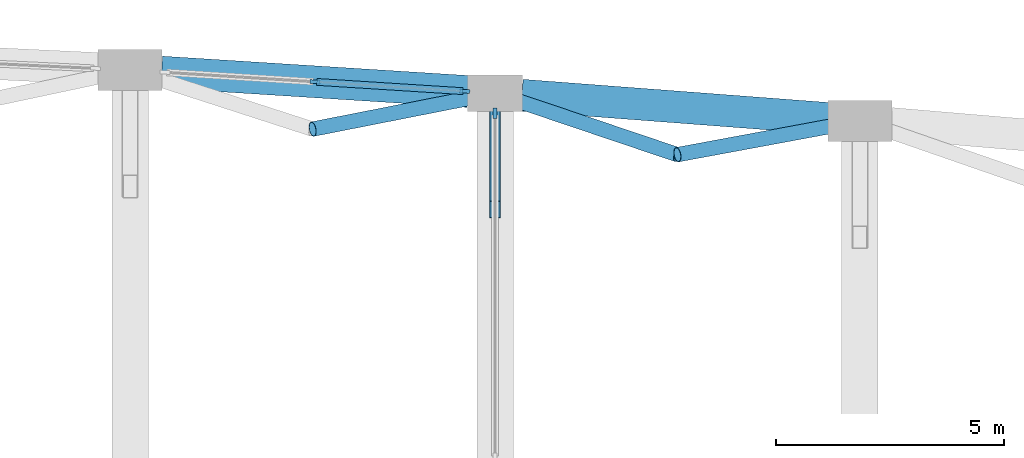
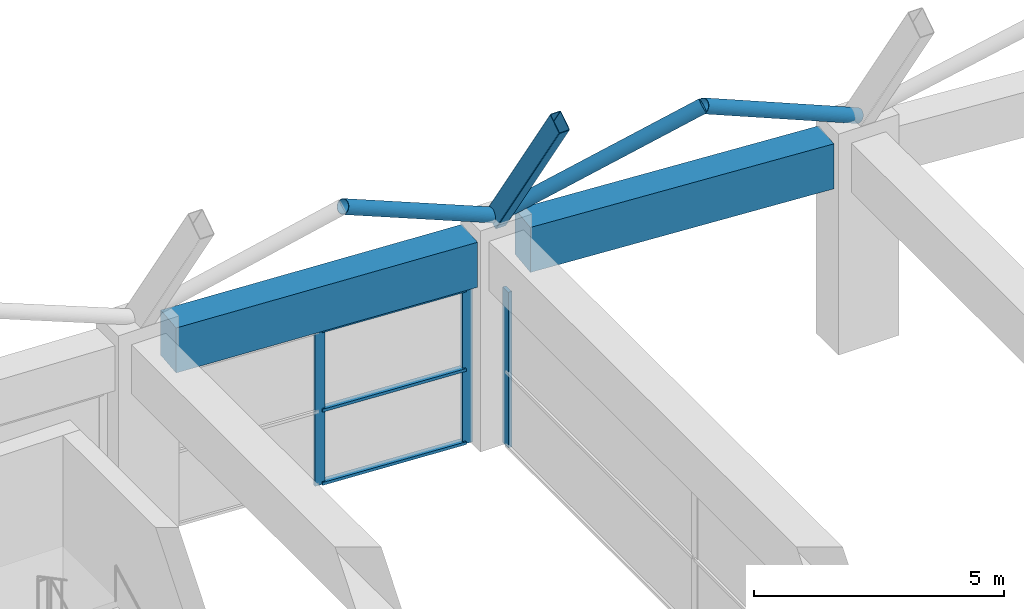
# One storey, part 32 of 69: 9 members, 3 beams, 2 elements without a shape of their own.
"""IFC4 building model written with IfcOpenShell, lengths in metres."""

import ifcopenshell
import ifcopenshell.guid

model = None  # the IFC model being written
_history = None  # IfcOwnerHistory: only IFC2X3 demands one
_inside = {}  # id of a spatial element -> (the spatial element, [elements in it])
_under = {}  # id of a project, library or spatial element -> (it, [spatial elements below it])
_declared = {}  # id of a project -> (the project, [libraries it declares])
_typed = {}  # id of a type object -> (the type object, [elements of that type])
_made_of = {}  # id of a material, layer set ... -> (it, [elements and type objects made of it])


def new_model(schema):
    """Start an empty IFC model of exactly this schema.

    Asked for "IFC4X3", IfcOpenShell would pick the latest addendum, in which some entities
    have other attributes; the version numbers below select the first issue.
    IFC2X3 requires an IfcOwnerHistory on every rooted entity: one is made here for all.
    """
    global model, _history
    if schema == "IFC4X3":
        model = ifcopenshell.file(schema_version=(4, 3, 0, 0))
    else:
        model = ifcopenshell.file(schema=schema)
    _inside.clear()
    _under.clear()
    _declared.clear()
    _typed.clear()
    _made_of.clear()
    _history = None
    if model.schema == "IFC2X3":
        org = make("IfcOrganization", Name="unknown")
        user = make(
            "IfcPersonAndOrganization",
            ThePerson=make("IfcPerson", FamilyName="unknown"),
            TheOrganization=org,
        )
        app = make(
            "IfcApplication",
            ApplicationDeveloper=org,
            Version="unknown",
            ApplicationFullName="unknown",
            ApplicationIdentifier="unknown",
        )
        _history = make(
            "IfcOwnerHistory",
            OwningUser=user,
            OwningApplication=app,
            ChangeAction="ADDED",
            CreationDate=0,
        )
    return model


def make(cls, **values):
    """One entity of the class cls with the attributes given. An attribute that is None is left unset."""
    return model.create_entity(
        cls, **{name: value for name, value in values.items() if value is not None}
    )


def rooted(cls, **values):
    """An entity with a GlobalId (a new one), such as an element, a storey or a relation."""
    return make(cls, GlobalId=ifcopenshell.guid.new(), OwnerHistory=_history, **values)


def si_unit(unit_type, name, prefix=None):
    """IfcSIUnit, for example si_unit("LENGTHUNIT", "METRE", prefix="MILLI")."""
    return make("IfcSIUnit", UnitType=unit_type, Prefix=prefix, Name=name)


def assignment(units):
    """IfcUnitAssignment: the units of a project."""
    return None if units is None else make("IfcUnitAssignment", Units=units)


def point(xyz):
    """IfcCartesianPoint."""
    return None if xyz is None else make("IfcCartesianPoint", Coordinates=xyz)


def direction(xyz):
    """IfcDirection."""
    return None if xyz is None else make("IfcDirection", DirectionRatios=xyz)


def frame(location, z_axis=None, x_axis=None):
    """IfcAxis2Placement3D, a coordinate frame: its origin and axes. An axis left out is left unset."""
    return make(
        "IfcAxis2Placement3D",
        Location=point(location),
        Axis=direction(z_axis),
        RefDirection=direction(x_axis),
    )


def frame_2d(location, x_axis=None):
    """IfcAxis2Placement2D, a coordinate frame in the plane: its origin and x axis."""
    return make(
        "IfcAxis2Placement2D", Location=point(location), RefDirection=direction(x_axis)
    )


def origin():
    """The frame at (0, 0, 0) with its axes left unset."""
    return frame((0.0, 0.0, 0.0))


def origin_2d():
    """The frame at (0, 0) in the plane with its x axis left unset."""
    return frame_2d((0.0, 0.0))


def place(relative_to, where):
    """IfcLocalPlacement: puts the frame where relative to a parent placement (None: the world)."""
    return make(
        "IfcLocalPlacement", PlacementRelTo=relative_to, RelativePlacement=where
    )


def context(
    kind, dimensions, precision=None, world=None, true_north=None, identifier=None
):
    """IfcGeometricRepresentationContext, for example the 3D "Model" context."""
    return make(
        "IfcGeometricRepresentationContext",
        ContextIdentifier=identifier,
        ContextType=kind,
        CoordinateSpaceDimension=dimensions,
        Precision=precision,
        WorldCoordinateSystem=world,
        TrueNorth=true_north,
    )


def subcontext(parent, identifier, kind, view, scale=None):
    """IfcGeometricRepresentationSubContext, for example "Body" below "Model"."""
    return make(
        "IfcGeometricRepresentationSubContext",
        ContextIdentifier=identifier,
        ContextType=kind,
        ParentContext=parent,
        TargetScale=scale,
        TargetView=view,
    )


def project(units=None, contexts=None):
    """IfcProject with its units and contexts."""
    return rooted(
        "IfcProject",
        Name="project",
        RepresentationContexts=contexts,
        UnitsInContext=assignment(units),
    )


def spatial(cls, under=None, at=None, **own):
    """A site, building, storey or space (cls), placed at a placement, below another one or the project."""
    s = rooted(cls, ObjectPlacement=at, **own)
    if under is not None:
        _under.setdefault(under.id(), (under, []))[1].append(s)
    return s


def profile(cls, at=None, kind="AREA", **sizes):
    """A parametric profile (cls). Its sizes go by their IFC names, for example OverallWidth=200.0."""
    return make(cls, ProfileType=kind, Position=at, **sizes)


def rectangle(**sizes):
    """IfcRectangleProfileDef."""
    return profile("IfcRectangleProfileDef", **sizes)


def hollow_rectangle(**sizes):
    """IfcRectangleHollowProfileDef."""
    return profile("IfcRectangleHollowProfileDef", **sizes)


def hollow_circle(**sizes):
    """IfcCircleHollowProfileDef."""
    return profile("IfcCircleHollowProfileDef", **sizes)


def extrude(swept, where, along, depth):
    """IfcExtrudedAreaSolid: the profile swept, set in the frame where, extruded along a direction by depth."""
    return make(
        "IfcExtrudedAreaSolid",
        SweptArea=swept,
        Position=where,
        ExtrudedDirection=direction(along),
        Depth=depth,
    )


def shape(context_of_items, identifier, shape_type, items):
    """IfcShapeRepresentation: the items that make up one representation, for example the "Body"."""
    return make(
        "IfcShapeRepresentation",
        ContextOfItems=context_of_items,
        RepresentationIdentifier=identifier,
        RepresentationType=shape_type,
        Items=items,
    )


def material(Name=None, Category=None):
    """IfcMaterial."""
    return make("IfcMaterial", Name=Name, Category=Category)


def material_profile(
    of_material, cross_section, Name=None, Category=None, Priority=None
):
    """IfcMaterialProfile: a cross section and its material."""
    return make(
        "IfcMaterialProfile",
        Name=Name,
        Material=of_material,
        Profile=cross_section,
        Priority=Priority,
        Category=Category,
    )


def profile_set(profiles, Name=None, composite=None):
    """IfcMaterialProfileSet."""
    return make(
        "IfcMaterialProfileSet",
        Name=Name,
        MaterialProfiles=profiles,
        CompositeProfile=composite,
    )


def made_of(thing, what):
    """Note that an element or type object is made of a material, layer set ...; save() writes the relation."""
    if what is not None:
        _made_of.setdefault(what.id(), (what, []))[1].append(thing)
    return thing


def type_object(cls, material=None, **own):
    """A type object (cls), such as IfcWallType, which elements share."""
    return made_of(rooted(cls, **own), material)


def element(
    cls,
    number,
    at=None,
    inside=None,
    cuts=None,
    type_object=None,
    material=None,
    context=None,
    identifier="Body",
    shape_type=None,
    held_by="IfcProductDefinitionShape",
    body=None,
    shapes=None,
    **own,
):
    """One element of the class cls, such as IfcWall. Its Tag is "e" and its number.

    at: its placement. inside: the storey or other place that contains it. cuts: it is an
    opening in that element (IfcRelVoidsElement). A single representation is given by context,
    identifier, shape_type and body (its items); several are given by shapes. held_by: the class
    of the entity that holds the representations. save() writes the other relations.
    """
    e = rooted(cls, Tag="e%d" % number, ObjectPlacement=at, **own)
    if body is not None:
        shapes = [shape(context, identifier, shape_type, body)]
    if shapes is not None:
        e.Representation = make(held_by, Representations=shapes)
    if inside is not None:
        _inside.setdefault(inside.id(), (inside, []))[1].append(e)
    if cuts is not None:
        rooted(
            "IfcRelVoidsElement", RelatingBuildingElement=cuts, RelatedOpeningElement=e
        )
    if type_object is not None:
        _typed.setdefault(type_object.id(), (type_object, []))[1].append(e)
    return made_of(e, material)


def aggregate(whole, parts):
    """IfcRelAggregates: a whole, such as a stair, and the parts it consists of."""
    return rooted("IfcRelAggregates", RelatingObject=whole, RelatedObjects=parts)


def save(model, path):
    """Write the relations noted so far, then the file.

    IfcRelAggregates (storeys below a building ...), IfcRelContainedInSpatialStructure (elements
    in a storey), IfcRelDefinesByType, IfcRelAssociatesMaterial and IfcRelDeclares: one each for
    every whole, place, type object, material and project.
    """
    for whole, parts in _under.values():
        aggregate(whole, parts)
    for where, things in _inside.values():
        rooted(
            "IfcRelContainedInSpatialStructure",
            RelatedElements=things,
            RelatingStructure=where,
        )
    for kind, things in _typed.values():
        rooted("IfcRelDefinesByType", RelatedObjects=things, RelatingType=kind)
    for what, things in _made_of.values():
        rooted("IfcRelAssociatesMaterial", RelatedObjects=things, RelatingMaterial=what)
    for by, libraries in _declared.values():
        rooted("IfcRelDeclares", RelatingContext=by, RelatedDefinitions=libraries)
    model.write(path)


model = new_model("IFC4")

# Units and contexts
model_context = context("Model", 3, precision=1e-05, world=origin(), true_north=direction((0.0, 1.0)))
body_context = subcontext(model_context, "Body", "Model", "MODEL_VIEW")
ifc_project = project(units=[si_unit("LENGTHUNIT", "METRE"), si_unit("AREAUNIT", "SQUARE_METRE"), si_unit("VOLUMEUNIT", "CUBIC_METRE"), si_unit("PLANEANGLEUNIT", "RADIAN"), si_unit("MASSUNIT", "GRAM", prefix="KILO")], contexts=[model_context])

# Site, building, storey
site_placement = place(None, origin())
site = spatial("IfcSite", under=ifc_project, at=site_placement, CompositionType="ELEMENT")
building_placement = place(site_placement, origin())
building = spatial("IfcBuilding", under=site, at=building_placement, Name="Kenh Van Central Station", CompositionType="ELEMENT")
storey_placement = place(building_placement, frame((0.0, 0.0, 5.39990234375)))
storey = spatial("IfcBuildingStorey", under=building, at=storey_placement, Name="L01", CompositionType="ELEMENT", Elevation=5.39990234375)

# Beams
ifc_material_1 = material(Name="Concrete C40/50", Category="concrete")
ifc_material_profile_1 = material_profile(ifc_material_1, rectangle(XDim=0.699951171875, YDim=1.10009765625, at=origin_2d()), Name="RC 700x1100")
ifc_profile_set_1 = profile_set([ifc_material_profile_1], Name="Concrete C40/50")
beam_type_1 = type_object("IfcBeamType", Name="BM-RC-700x1100", PredefinedType="BEAM", material=ifc_profile_set_1)
beam_1_placement = place(storey_placement, frame((112.688720703125, 114.458251953125, 4.530029296875), z_axis=(0.99800019098, -0.06321090732, 0.0), x_axis=(0.06321090732, 0.99800019098, 0.0)))
element("IfcBeam", 1, at=beam_1_placement, inside=storey, type_object=beam_type_1, Name="L01 viaduct girder 1432", PredefinedType="BEAM", context=body_context, shape_type="SweptSolid", body=[
    extrude(rectangle(XDim=0.699951171875, YDim=1.10009765625, at=origin_2d()), origin(), (0.0, 0.0, 1.0), 6.73583984375),
])
beam_2_placement = place(storey_placement, frame((120.58837890625, 113.95068359375, 4.530029296875), z_axis=(0.997135493389, -0.075636021993, 0.0), x_axis=(0.075636021993, 0.997135493389, 0.0)))
element("IfcBeam", 2, at=beam_2_placement, inside=storey, type_object=beam_type_1, Name="L01 viaduct girder 1433", PredefinedType="BEAM", context=body_context, shape_type="SweptSolid", body=[
    extrude(rectangle(XDim=0.699951171875, YDim=1.10009765625, at=origin_2d()), origin(), (0.0, 0.0, 1.0), 6.742919921875),
])
ifc_material_2 = material(Name="White fluoropolymer structural steel S355", Category="steel")
ifc_material_profile_2 = material_profile(ifc_material_2, hollow_rectangle(XDim=0.25, YDim=0.449951171875, WallThickness=0.012451171875, InnerFilletRadius=0.012451171875, OuterFilletRadius=0.02490234375, at=origin_2d()), Name="RHS 450x250x12.5")
ifc_profile_set_2 = profile_set([ifc_material_profile_2], Name="White fluoropolymer structural steel S355")
beam_type_2 = type_object("IfcBeamType", Name="BM-VAULT-SUB450", PredefinedType="BEAM", material=ifc_profile_set_2)
beam_3_placement = place(storey_placement, frame((120.0, 111.44287109375, 9.161865234375), z_axis=(0.0, 0.5493771127, -0.835574525725), x_axis=(-1.0, 0.0, 0.0)))
element("IfcBeam", 3, at=beam_3_placement, inside=storey, type_object=beam_type_2, Name="Vault transverse arch 141", PredefinedType="BEAM", context=body_context, shape_type="SweptSolid", body=[
    extrude(hollow_rectangle(XDim=0.25, YDim=0.449951171875, WallThickness=0.012451171875, InnerFilletRadius=0.012451171875, OuterFilletRadius=0.02490234375, at=origin_2d()), origin(), (0.0, 0.0, 1.0), 4.645751953125),
])

# Curtain wall, member
ifc_material_3 = material(Name="Champagne anodised aluminium", Category="aluminium")
curtain_wall_type = type_object("IfcCurtainWallType", Name="CW-HALL-B", PredefinedType="NOTDEFINED", material=ifc_material_3)
curtain_wall_1_placement = place(storey_placement, origin())
curtain_wall_1 = element("IfcCurtainWall", 4, at=curtain_wall_1_placement, inside=storey, type_object=curtain_wall_type, Name="L01 curtain wall 102", PredefinedType="NOTDEFINED")
ifc_material_profile_3 = material_profile(ifc_material_3, rectangle(XDim=0.08203125, YDim=0.22509765625, at=origin_2d()), Name="AL 82x225")
ifc_profile_set_3 = profile_set([ifc_material_profile_3], Name="Champagne anodised aluminium")
member_type_1 = type_object("IfcMemberType", Name="CWM-70x180", PredefinedType="MULLION", material=ifc_profile_set_3)
member_1_placement = place(storey_placement, frame((120.0, 113.55419921875, 0.0), z_axis=(0.0, 0.0, 1.0), x_axis=(-1.0, 0.0, 0.0)))
member_1 = element("IfcMember", 5, at=member_1_placement, type_object=member_type_1, Name="CW-02 mullion 3", PredefinedType="MULLION", context=body_context, shape_type="SweptSolid", body=[
    extrude(rectangle(XDim=0.08203125, YDim=0.22509765625, at=origin_2d()), origin(), (0.0, 0.0, 1.0), 3.800048828125),
])
aggregate(curtain_wall_1, [member_1])

# Curtain wall, members
curtain_wall_2_placement = place(storey_placement, origin())
curtain_wall_2 = element("IfcCurtainWall", 6, at=curtain_wall_2_placement, inside=storey, type_object=curtain_wall_type, Name="L01 curtain wall 096", PredefinedType="NOTDEFINED")
ifc_material_profile_4 = material_profile(ifc_material_3, rectangle(XDim=0.080078125, YDim=0.219970703125, at=origin_2d()), Name="AL 80x220")
ifc_profile_set_4 = profile_set([ifc_material_profile_4], Name="Champagne anodised aluminium")
member_type_2 = type_object("IfcMemberType", Name="CWM-80x220", PredefinedType="MULLION", material=ifc_profile_set_4)
member_2_placement = place(storey_placement, frame((119.337158203125, 114.037109375, 0.0), z_axis=(0.0, 0.0, 1.0), x_axis=(-0.063211477724, -0.998000154852, 0.0)))
member_2 = element("IfcMember", 7, at=member_2_placement, type_object=member_type_2, Name="CW-02 mullion 1", PredefinedType="MULLION", context=body_context, shape_type="SweptSolid", body=[
    extrude(rectangle(XDim=0.080078125, YDim=0.219970703125, at=origin_2d()), origin(), (0.0, 0.0, 1.0), 3.800048828125),
])
member_3_placement = place(storey_placement, frame((116.051513671875, 114.245361328125, 0.0), z_axis=(0.0, 0.0, 1.0), x_axis=(-0.063211477724, -0.998000154852, 0.0)))
member_3 = element("IfcMember", 8, at=member_3_placement, type_object=member_type_2, Name="CW-02 mullion 2", PredefinedType="MULLION", context=body_context, shape_type="SweptSolid", body=[
    extrude(rectangle(XDim=0.080078125, YDim=0.219970703125, at=origin_2d()), origin(), (0.0, 0.0, 1.0), 3.800048828125),
])
ifc_material_profile_5 = material_profile(ifc_material_3, rectangle(XDim=0.14990234375, YDim=0.070068359375, at=origin_2d()), Name="AL 150x70")
ifc_profile_set_5 = profile_set([ifc_material_profile_5], Name="Champagne anodised aluminium")
member_type_3 = type_object("IfcMemberType", Name="CWT-150x70", PredefinedType="USERDEFINED", material=ifc_profile_set_5)
member_4_placement = place(storey_placement, frame((119.29736328125, 114.03955078125, 0.03515625), z_axis=(-0.997998987314, 0.063229908426, 0.0), x_axis=(-0.063229908426, -0.997998987314, 0.0)))
member_4 = element("IfcMember", 9, at=member_4_placement, type_object=member_type_3, Name="CW-02 transom 1.1", ObjectType="TRANSOM", PredefinedType="USERDEFINED", context=body_context, shape_type="SweptSolid", body=[
    extrude(rectangle(XDim=0.14990234375, YDim=0.070068359375, at=origin_2d()), origin(), (0.0, 0.0, 1.0), 3.21240234375),
])
member_5_placement = place(storey_placement, frame((119.29736328125, 114.03955078125, 1.82421875), z_axis=(-0.997998987314, 0.063229908426, 0.0), x_axis=(-0.063229908426, -0.997998987314, 0.0)))
member_5 = element("IfcMember", 10, at=member_5_placement, type_object=member_type_3, Name="CW-02 transom 1.2", ObjectType="TRANSOM", PredefinedType="USERDEFINED", context=body_context, shape_type="SweptSolid", body=[
    extrude(rectangle(XDim=0.14990234375, YDim=0.070068359375, at=origin_2d()), origin(), (0.0, 0.0, 1.0), 3.21240234375),
])
member_6_placement = place(storey_placement, frame((119.29736328125, 114.03955078125, 3.76513671875), z_axis=(-0.997998987314, 0.063229908426, 0.0), x_axis=(-0.063229908426, -0.997998987314, 0.0)))
member_6 = element("IfcMember", 11, at=member_6_placement, type_object=member_type_3, Name="CW-02 transom 1.3", ObjectType="TRANSOM", PredefinedType="USERDEFINED", context=body_context, shape_type="SweptSolid", body=[
    extrude(rectangle(XDim=0.14990234375, YDim=0.070068359375, at=origin_2d()), origin(), (0.0, 0.0, 1.0), 3.21240234375),
])
aggregate(curtain_wall_2, [member_2, member_3, member_4, member_5, member_6])

# Members
ifc_material_profile_6 = material_profile(ifc_material_2, hollow_circle(Radius=0.161865234375, WallThickness=0.010009765625, at=origin_2d()), Name="CHS 323.9x10")
ifc_profile_set_6 = profile_set([ifc_material_profile_6], Name="White fluoropolymer structural steel S355")
member_type_4 = type_object("IfcMemberType", Name="MEM-VAULT-CHD324", PredefinedType="CHORD", material=ifc_profile_set_6)
member_7_placement = place(storey_placement, frame((116.0, 113.20703125, 7.4287109375), z_axis=(0.873216223438, 0.172042356522, -0.455954882294), x_axis=(-0.19330539073, 0.981138637459, 0.0)))
element("IfcMember", 12, at=member_7_placement, inside=storey, type_object=member_type_4, Name="Vault diamond grid member 0511", PredefinedType="CHORD", context=body_context, shape_type="SweptSolid", body=[
    extrude(hollow_circle(Radius=0.161865234375, WallThickness=0.010009765625, at=origin_2d()), origin(), (0.0, 0.0, 1.0), 4.580810546875),
])
member_8_placement = place(storey_placement, frame((120.0, 113.9951171875, 5.340087890625), z_axis=(0.849338454857, -0.286257748274, 0.443486967853), x_axis=(0.319383994056, 0.947625381858, 0.0)))
element("IfcMember", 13, at=member_8_placement, inside=storey, type_object=member_type_4, Name="Vault diamond grid member 0536", PredefinedType="CHORD", context=body_context, shape_type="SweptSolid", body=[
    extrude(hollow_circle(Radius=0.161865234375, WallThickness=0.010009765625, at=origin_2d()), origin(), (0.0, 0.0, 1.0), 4.70947265625),
])
member_9_placement = place(storey_placement, frame((124.0, 112.64697265625, 7.4287109375), z_axis=(0.874704072335, 0.162138444072, -0.456731771168), x_axis=(-0.182259028571, 0.983250551235, 0.0)))
element("IfcMember", 14, at=member_9_placement, inside=storey, type_object=member_type_4, Name="Vault diamond grid member 0559", PredefinedType="CHORD", context=body_context, shape_type="SweptSolid", body=[
    extrude(hollow_circle(Radius=0.161865234375, WallThickness=0.010009765625, at=origin_2d()), origin(), (0.0, 0.0, 1.0), 4.572998046875),
])

save(model, "model.ifc")
